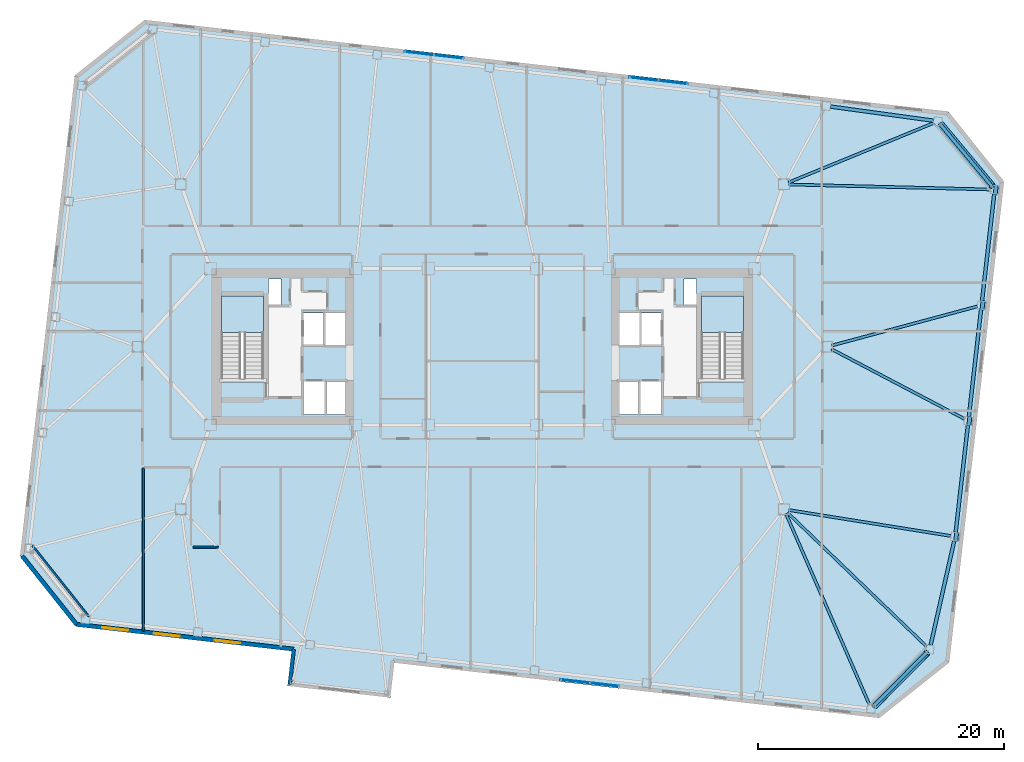
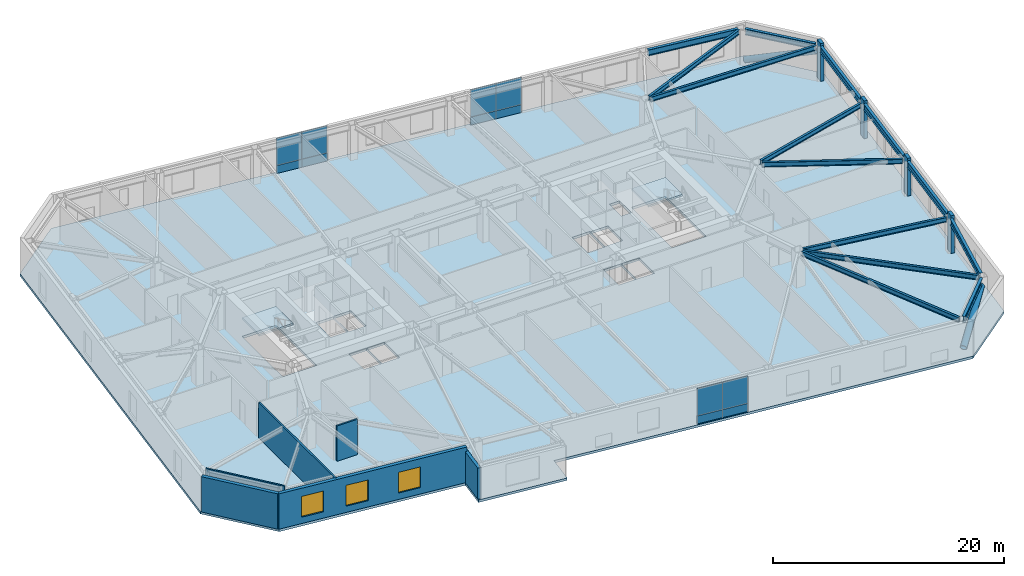
# One storey, part 9 of 19: 14 beams, 12 plates, 6 members, 6 walls, 3 slabs, 3 windows, 3 openings, 5 elements without a shape of their own.
"""IFC4 building model written with IfcOpenShell, lengths in metres."""

from ifc_helpers import new_model, si_unit, direction, frame, frame_2d, origin, origin_2d, place, context, subcontext, project, spatial, polyline, rectangle, hollow_circle, i_section, outline, extrude, material, layer, layer_set, material_profile, profile_set, type_object, element, fill, aggregate, save


model = new_model("IFC4")

# Units and contexts
model_context = context("Model", 3, precision=1e-05, world=origin(), true_north=direction((0.0, 1.0)))
body_context = subcontext(model_context, "Body", "Model", "MODEL_VIEW")
ifc_project = project(units=[si_unit("LENGTHUNIT", "METRE"), si_unit("AREAUNIT", "SQUARE_METRE"), si_unit("VOLUMEUNIT", "CUBIC_METRE"), si_unit("PLANEANGLEUNIT", "RADIAN"), si_unit("MASSUNIT", "GRAM", prefix="KILO")], contexts=[model_context])

# Site, building, storey
site_placement = place(None, origin())
site = spatial("IfcSite", under=ifc_project, at=site_placement, CompositionType="ELEMENT")
building_placement = place(site_placement, origin())
building = spatial("IfcBuilding", under=site, at=building_placement, Name="Tavrogorsk Clinical Tower", CompositionType="ELEMENT")
storey_placement = place(building_placement, frame((0.0, 0.0, 101.39990234375)))
storey = spatial("IfcBuildingStorey", under=building, at=storey_placement, Name="L22", CompositionType="ELEMENT", Elevation=101.39990234375)

# Members
ifc_material_1 = material(Name="Structural steel S440", Category="steel")
ifc_material_profile_1 = material_profile(ifc_material_1, hollow_circle(Radius=0.304931640625, WallThickness=0.02490234375, at=origin_2d()), Name="CHS-610x25")
ifc_profile_set_1 = profile_set([ifc_material_profile_1], Name="Structural steel S440")
member_type_1 = type_object("IfcMemberType", Name="ExoBrace_CHS610", PredefinedType="BRACE", material=ifc_profile_set_1)
member_1_placement = place(storey_placement, frame((31.81640625, -29.1650390625, 0.4345703125), z_axis=(0.651430241483, 0.659222469252, 0.375585378463), x_axis=(-0.711298174517, 0.702890394677, 0.0)))
element("IfcMember", 1, at=member_1_placement, inside=storey, type_object=member_type_1, Name="L22 Corner Exoskeleton Brace S8-E1", PredefinedType="BRACE", context=body_context, shape_type="SweptSolid", body=[
    extrude(hollow_circle(Radius=0.304931640625, WallThickness=0.02490234375, at=origin_2d()), origin(), (0.0, 0.0, 1.0), 6.57958984375),
])
member_2_placement = place(storey_placement, frame((37.2109375, 18.06640625, 0.427001953125), z_axis=(0.598616328588, -0.718269947263, 0.354607915882), x_axis=(0.768190751014, 0.640221032189, 0.0)))
element("IfcMember", 2, at=member_2_placement, inside=storey, type_object=member_type_1, Name="L22 Corner Exoskeleton Brace E5-N1", PredefinedType="BRACE", context=body_context, shape_type="SweptSolid", body=[
    extrude(hollow_circle(Radius=0.304931640625, WallThickness=0.02490234375, at=origin_2d()), origin(), (0.0, 0.0, 1.0), 7.0107421875),
])

# Beams
ifc_material_2 = material(Name="Structural steel S355", Category="steel")
ifc_material_profile_2 = material_profile(ifc_material_2, i_section(OverallWidth=0.219970703125, OverallDepth=0.5, WebThickness=0.012939453125, FlangeThickness=0.02001953125, at=origin_2d()), Name="B-500x220x13x20")
ifc_profile_set_2 = profile_set([ifc_material_profile_2], Name="Structural steel S355")
beam_type_1 = type_object("IfcBeamType", Name="FloorBeam_B500", PredefinedType="BEAM", material=ifc_profile_set_2)
beam_1_placement = place(storey_placement, frame((24.664306640625, -13.57568359375, 3.489990234375), z_axis=(0.400586354613, -0.916259009504, 0.0), x_axis=(0.916259009504, 0.400586354613, 0.0)))
element("IfcBeam", 3, at=beam_1_placement, inside=storey, type_object=beam_type_1, Name="L22 Radial Floor Beam S8", PredefinedType="BEAM", context=body_context, shape_type="SweptSolid", body=[
    extrude(i_section(OverallWidth=0.219970703125, OverallDepth=0.5, WebThickness=0.012939453125, FlangeThickness=0.02001953125, at=origin_2d()), origin(), (0.0, 0.0, 1.0), 16.91357421875),
])
beam_2_placement = place(storey_placement, frame((24.87939453125, 13.35546875, 3.489990234375), z_axis=(0.925250223374, 0.379357383143, 0.0), x_axis=(-0.379357383143, 0.925250223374, 0.0)))
element("IfcBeam", 4, at=beam_2_placement, inside=storey, type_object=beam_type_1, Name="L22 Radial Floor Beam N1", PredefinedType="BEAM", context=body_context, shape_type="SweptSolid", body=[
    extrude(i_section(OverallWidth=0.219970703125, OverallDepth=0.5, WebThickness=0.012939453125, FlangeThickness=0.02001953125, at=origin_2d()), origin(), (0.0, 0.0, 1.0), 12.738037109375),
])
beam_3_placement = place(storey_placement, frame((24.79541015625, -13.484375, 3.489990234375), z_axis=(0.720494740362, -0.693460401977, 0.0), x_axis=(0.693460401977, 0.720494740362, 0.0)))
element("IfcBeam", 5, at=beam_3_placement, inside=storey, type_object=beam_type_1, Name="L22 Radial Floor Beam E1", PredefinedType="BEAM", context=body_context, shape_type="SweptSolid", body=[
    extrude(i_section(OverallWidth=0.219970703125, OverallDepth=0.5, WebThickness=0.012939453125, FlangeThickness=0.02001953125, at=origin_2d()), origin(), (0.0, 0.0, 1.0), 15.659423828125),
])
beam_4_placement = place(storey_placement, frame((24.90478515625, -13.2646484375, 3.489990234375), z_axis=(0.987456527754, -0.157891120067, 0.0), x_axis=(0.157891120067, 0.987456527754, 0.0)))
element("IfcBeam", 6, at=beam_4_placement, inside=storey, type_object=beam_type_1, Name="L22 Radial Floor Beam E2", PredefinedType="BEAM", context=body_context, shape_type="SweptSolid", body=[
    extrude(i_section(OverallWidth=0.219970703125, OverallDepth=0.5, WebThickness=0.012939453125, FlangeThickness=0.02001953125, at=origin_2d()), origin(), (0.0, 0.0, 1.0), 13.31787109375),
])
beam_5_placement = place(storey_placement, frame((28.363037109375, -0.1904296875, 3.489990234375), z_axis=(0.885467298335, -0.464701693111, 0.0), x_axis=(0.464701693111, 0.885467298335, 0.0)))
element("IfcBeam", 7, at=beam_5_placement, inside=storey, type_object=beam_type_1, Name="L22 Radial Floor Beam E3", PredefinedType="BEAM", context=body_context, shape_type="SweptSolid", body=[
    extrude(i_section(OverallWidth=0.219970703125, OverallDepth=0.5, WebThickness=0.012939453125, FlangeThickness=0.02001953125, at=origin_2d()), origin(), (0.0, 0.0, 1.0), 12.197021484375),
])
beam_6_placement = place(storey_placement, frame((28.39599609375, 0.1064453125, 3.489990234375), z_axis=(0.965705720144, 0.259639099677, 0.0), x_axis=(-0.259639099677, 0.965705720144, 0.0)))
element("IfcBeam", 8, at=beam_6_placement, inside=storey, type_object=beam_type_1, Name="L22 Radial Floor Beam E4", PredefinedType="BEAM", context=body_context, shape_type="SweptSolid", body=[
    extrude(i_section(OverallWidth=0.219970703125, OverallDepth=0.5, WebThickness=0.012939453125, FlangeThickness=0.02001953125, at=origin_2d()), origin(), (0.0, 0.0, 1.0), 12.228759765625),
])
beam_7_placement = place(storey_placement, frame((24.909912109375, 13.189697265625, 3.489990234375), z_axis=(0.999690121031, -0.024893009314, 0.0), x_axis=(0.024893009314, 0.999690121031, 0.0)))
element("IfcBeam", 9, at=beam_7_placement, inside=storey, type_object=beam_type_1, Name="L22 Radial Floor Beam E5", PredefinedType="BEAM", context=body_context, shape_type="SweptSolid", body=[
    extrude(i_section(OverallWidth=0.219970703125, OverallDepth=0.5, WebThickness=0.012939453125, FlangeThickness=0.02001953125, at=origin_2d()), origin(), (0.0, 0.0, 1.0), 16.359130859375),
])

# Members
ifc_material_3 = material(Name="Precast concrete B45 with limestone cladding", Category="masonry")
ifc_material_profile_3 = material_profile(ifc_material_3, rectangle(XDim=0.320068359375, YDim=0.719970703125, at=origin_2d()), Name="LIMESTONE-FIN-320x720")
ifc_profile_set_3 = profile_set([ifc_material_profile_3], Name="Precast concrete B45 with limestone cladding")
member_type_2 = type_object("IfcMemberType", Name="LimestonePleatFin_320x720", PredefinedType="USERDEFINED", material=ifc_profile_set_3)
for number, where, z_axis, x_axis, name in (
    (10, (38.48876953125, -15.432861328125, 0.0), (0.0, 0.0, 1.0), (0.993571855677, -0.113203213768, 0.0), "L22 E Pleated Stone Fin 1"),
    (11, (39.5595703125, -6.03369140625, 0.0), (0.0, 0.0, 1.0), (0.993571855677, -0.113203213768, 0.0), "L22 E Pleated Stone Fin 2"),
    (12, (40.63037109375, 3.365234375, 0.0), (0.0, 0.0, 1.0), (0.993571855677, -0.113203213768, 0.0), "L22 E Pleated Stone Fin 3"),
    (13, (41.701416015625, 12.7646484375, 0.0), (0.0, 0.0, 1.0), (0.993571855677, -0.113203213768, 0.0), "L22 E Pleated Stone Fin 4"),
):
    element("IfcMember", number, at=place(storey_placement, frame(where, z_axis=z_axis, x_axis=x_axis)), inside=storey, type_object=member_type_2, Name=name, ObjectType="FIN", PredefinedType="USERDEFINED", context=body_context, shape_type="SweptSolid", body=[
        extrude(rectangle(XDim=0.320068359375, YDim=0.719970703125, at=origin_2d()), origin(), (0.0, 0.0, 1.0), 4.0),
    ])

# Beams
ifc_material_4 = material(Name="Structural steel S390", Category="steel")
ifc_material_profile_4 = material_profile(ifc_material_4, i_section(OverallWidth=0.280029296875, OverallDepth=0.64990234375, WebThickness=0.01611328125, FlangeThickness=0.02490234375, at=origin_2d()), Name="B-650x280x16x25")
ifc_profile_set_4 = profile_set([ifc_material_profile_4], Name="Structural steel S390")
beam_type_2 = type_object("IfcBeamType", Name="SpandrelBeam_B650", PredefinedType="SPANDREL", material=ifc_profile_set_4)
beam_8_placement = place(storey_placement, frame((31.834716796875, -29.146240234375, 3.4150390625), z_axis=(0.702934929184, 0.711254163667, 0.0), x_axis=(-0.711254163667, 0.702934929184, 0.0)))
element("IfcBeam", 14, at=beam_8_placement, inside=storey, type_object=beam_type_2, Name="L22 Perimeter Spandrel S8-E1", PredefinedType="SPANDREL", context=body_context, shape_type="SweptSolid", body=[
    extrude(i_section(OverallWidth=0.280029296875, OverallDepth=0.64990234375, WebThickness=0.01611328125, FlangeThickness=0.02490234375, at=origin_2d()), origin(), (0.0, 0.0, 1.0), 6.04541015625),
])
beam_9_placement = place(storey_placement, frame((36.414794921875, -24.242431640625, 3.4150390625), z_axis=(0.220602599501, 0.975363774749, 0.0), x_axis=(-0.975363774749, 0.220602599501, 0.0)))
element("IfcBeam", 15, at=beam_9_placement, inside=storey, type_object=beam_type_2, Name="L22 Perimeter Spandrel E1-E2", PredefinedType="SPANDREL", context=body_context, shape_type="SweptSolid", body=[
    extrude(i_section(OverallWidth=0.280029296875, OverallDepth=0.64990234375, WebThickness=0.01611328125, FlangeThickness=0.02490234375, at=origin_2d()), origin(), (0.0, 0.0, 1.0), 8.68310546875),
])
for number, where, z_axis, x_axis, name in (
    (16, (38.44970703125, -15.068115234375, 3.4150390625), (0.113192226434, 0.993573107464, 0.0), (-0.993573107464, 0.113192226434, 0.0), "L22 Perimeter Spandrel E2-E3"),
    (17, (39.520751953125, -5.6689453125, 3.4150390625), (0.113192226434, 0.993573107464, 0.0), (-0.993573107464, 0.113192226434, 0.0), "L22 Perimeter Spandrel E3-E4"),
):
    element("IfcBeam", number, at=place(storey_placement, frame(where, z_axis=z_axis, x_axis=x_axis)), inside=storey, type_object=beam_type_2, Name=name, PredefinedType="SPANDREL", context=body_context, shape_type="SweptSolid", body=[
        extrude(i_section(OverallWidth=0.280029296875, OverallDepth=0.64990234375, WebThickness=0.01611328125, FlangeThickness=0.02490234375, at=origin_2d()), origin(), (0.0, 0.0, 1.0), 8.743896484375),
    ])
beam_10_placement = place(storey_placement, frame((40.591552734375, 3.72998046875, 3.4150390625), z_axis=(0.113189086379, 0.993573465188, 0.0), x_axis=(-0.993573465188, 0.113189086379, 0.0)))
element("IfcBeam", 18, at=beam_10_placement, inside=storey, type_object=beam_type_2, Name="L22 Perimeter Spandrel E4-E5", PredefinedType="SPANDREL", context=body_context, shape_type="SweptSolid", body=[
    extrude(i_section(OverallWidth=0.280029296875, OverallDepth=0.64990234375, WebThickness=0.01611328125, FlangeThickness=0.02490234375, at=origin_2d()), origin(), (0.0, 0.0, 1.0), 8.744140625),
])
beam_11_placement = place(storey_placement, frame((41.392578125, 13.048583984375, 3.4150390625), z_axis=(-0.640191778751, 0.768215130299, 0.0), x_axis=(-0.768215130299, -0.640191778751, 0.0)))
element("IfcBeam", 19, at=beam_11_placement, inside=storey, type_object=beam_type_2, Name="L22 Perimeter Spandrel E5-N1", PredefinedType="SPANDREL", context=body_context, shape_type="SweptSolid", body=[
    extrude(i_section(OverallWidth=0.280029296875, OverallDepth=0.64990234375, WebThickness=0.01611328125, FlangeThickness=0.02490234375, at=origin_2d()), origin(), (0.0, 0.0, 1.0), 6.508544921875),
])
beam_12_placement = place(storey_placement, frame((36.641845703125, 18.3720703125, 3.4150390625), z_axis=(-0.990722121657, 0.135903192232, 0.0), x_axis=(-0.135903192232, -0.990722121657, 0.0)))
element("IfcBeam", 20, at=beam_12_placement, inside=storey, type_object=beam_type_2, Name="L22 Perimeter Spandrel N1-N2", PredefinedType="SPANDREL", context=body_context, shape_type="SweptSolid", body=[
    extrude(i_section(OverallWidth=0.280029296875, OverallDepth=0.64990234375, WebThickness=0.01611328125, FlangeThickness=0.02490234375, at=origin_2d()), origin(), (0.0, 0.0, 1.0), 8.439697265625),
])

# Curtain wall, plates
ifc_material_5 = material(Name="Anodised aluminium and triple IGU glazing", Category="aluminium")
ifc_layer_1 = layer(ifc_material_5, 0.179931640625)
ifc_layer_set_1 = layer_set([ifc_layer_1], Name="Anodised aluminium and triple IGU glazing")
curtain_wall_type_1 = type_object("IfcCurtainWallType", Name="CW3_SouthSlot", PredefinedType="NOTDEFINED", material=ifc_layer_set_1)
curtain_wall_1_placement = place(storey_placement, origin())
curtain_wall_1 = element("IfcCurtainWall", 21, at=curtain_wall_1_placement, inside=storey, type_object=curtain_wall_type_1, Name="L22 Curtain Wall CW-L22-S-SLOT-2", PredefinedType="NOTDEFINED")
ifc_material_6 = material(Name="Honed Podolsk limestone spandrel panel", Category="masonry")
ifc_layer_2 = layer(ifc_material_6, 0.080078125)
ifc_layer_set_2 = layer_set([ifc_layer_2], Name="Honed Podolsk limestone spandrel panel")
plate_type_1 = type_object("IfcPlateType", Name="CwSpandrelStonePanel_80", PredefinedType="CURTAIN_PANEL", material=ifc_layer_set_2)
plate_1_placement = place(storey_placement, frame((7.52978515625, -27.173828125, 0.002197265625), z_axis=(0.0, 0.0, 1.0), x_axis=(0.993571858269, -0.113203191016, 0.0)))
plate_1 = element("IfcPlate", 22, at=plate_1_placement, type_object=plate_type_1, Name="CW-L22-S-SLOT-2 Stone Spandrel Panel 1", PredefinedType="CURTAIN_PANEL", context=body_context, shape_type="SweptSolid", body=[
    extrude(rectangle(XDim=2.39208984375, YDim=0.080078125, at=origin_2d()), origin(), (0.0, 0.0, 1.0), 0.8359375),
])
plate_2_placement = place(storey_placement, frame((9.93017578125, -27.447265625, 0.002197265625), z_axis=(0.0, 0.0, 1.0), x_axis=(0.993571858269, -0.113203191016, 0.0)))
plate_2 = element("IfcPlate", 23, at=plate_2_placement, type_object=plate_type_1, Name="CW-L22-S-SLOT-2 Stone Spandrel Panel 2", PredefinedType="CURTAIN_PANEL", context=body_context, shape_type="SweptSolid", body=[
    extrude(rectangle(XDim=2.39208984375, YDim=0.080078125, at=origin_2d()), origin(), (0.0, 0.0, 1.0), 0.8359375),
])

ifc_material_7 = material(Name="Anodised aluminium and triple IGU glazing", Category="aluminium")
ifc_layer_3 = layer(ifc_material_7, 0.179931640625)
ifc_layer_set_3 = layer_set([ifc_layer_3], Name="Anodised aluminium and triple IGU glazing")
curtain_wall_type_2 = type_object("IfcCurtainWallType", Name="CW2_NorthSlot", PredefinedType="NOTDEFINED", material=ifc_layer_set_3)
curtain_wall_2_placement = place(storey_placement, origin())
curtain_wall_2 = element("IfcCurtainWall", 24, at=curtain_wall_2_placement, inside=storey, type_object=curtain_wall_type_2, Name="L22 Curtain Wall CW-L22-N-SLOT-1", PredefinedType="NOTDEFINED")
plate_3_placement = place(storey_placement, frame((-2.729736328125, 23.57373046875, 0.002197265625), z_axis=(0.0, 0.0, 1.0), x_axis=(-0.993571858269, 0.113203191016, 0.0)))
plate_3 = element("IfcPlate", 25, at=plate_3_placement, type_object=plate_type_1, Name="CW-L22-N-SLOT-1 Stone Spandrel Panel 1", PredefinedType="CURTAIN_PANEL", context=body_context, shape_type="SweptSolid", body=[
    extrude(rectangle(XDim=2.39208984375, YDim=0.080078125, at=origin_2d()), origin(), (0.0, 0.0, 1.0), 0.8359375),
])
plate_4_placement = place(storey_placement, frame((-5.130126953125, 23.847412109375, 0.002197265625), z_axis=(0.0, 0.0, 1.0), x_axis=(-0.993571858269, 0.113203191016, 0.0)))
plate_4 = element("IfcPlate", 26, at=plate_4_placement, type_object=plate_type_1, Name="CW-L22-N-SLOT-1 Stone Spandrel Panel 2", PredefinedType="CURTAIN_PANEL", context=body_context, shape_type="SweptSolid", body=[
    extrude(rectangle(XDim=2.39208984375, YDim=0.080078125, at=origin_2d()), origin(), (0.0, 0.0, 1.0), 0.8359375),
])

curtain_wall_3_placement = place(storey_placement, origin())
curtain_wall_3 = element("IfcCurtainWall", 27, at=curtain_wall_3_placement, inside=storey, type_object=curtain_wall_type_2, Name="L22 Curtain Wall CW-L22-N-SLOT-2", PredefinedType="NOTDEFINED")
plate_5_placement = place(storey_placement, frame((15.506591796875, 21.49609375, 0.002197265625), z_axis=(0.0, 0.0, 1.0), x_axis=(-0.993571855603, 0.11320321441, 0.0)))
plate_5 = element("IfcPlate", 28, at=plate_5_placement, type_object=plate_type_1, Name="CW-L22-N-SLOT-2 Stone Spandrel Panel 1", PredefinedType="CURTAIN_PANEL", context=body_context, shape_type="SweptSolid", body=[
    extrude(rectangle(XDim=2.39208984375, YDim=0.080078125, at=origin_2d()), origin(), (0.0, 0.0, 1.0), 0.8359375),
])
plate_6_placement = place(storey_placement, frame((13.106201171875, 21.76953125, 0.002197265625), z_axis=(0.0, 0.0, 1.0), x_axis=(-0.993571855603, 0.11320321441, 0.0)))
plate_6 = element("IfcPlate", 29, at=plate_6_placement, type_object=plate_type_1, Name="CW-L22-N-SLOT-2 Stone Spandrel Panel 2", PredefinedType="CURTAIN_PANEL", context=body_context, shape_type="SweptSolid", body=[
    extrude(rectangle(XDim=2.39208984375, YDim=0.080078125, at=origin_2d()), origin(), (0.0, 0.0, 1.0), 0.8359375),
])

# Plate
ifc_material_8 = material(Name="Triple low-E argon insulated glass", Category="glass")
ifc_layer_4 = layer(ifc_material_8, 0.048095703125)
ifc_layer_set_4 = layer_set([ifc_layer_4], Name="Triple low-E argon insulated glass")
plate_type_2 = type_object("IfcPlateType", Name="CwVisionGlassPanel_48", PredefinedType="CURTAIN_PANEL", material=ifc_layer_set_4)
plate_7_placement = place(storey_placement, frame((7.52978515625, -27.173828125, 0.862060546875), z_axis=(0.0, 0.0, 1.0), x_axis=(0.993571858269, -0.113203191016, 0.0)))
plate_7 = element("IfcPlate", 30, at=plate_7_placement, type_object=plate_type_2, Name="CW-L22-S-SLOT-2 Glazing Panel 1", PredefinedType="CURTAIN_PANEL", context=body_context, shape_type="SweptSolid", body=[
    extrude(rectangle(XDim=2.39208984375, YDim=0.048095703125, at=origin_2d()), origin(), (0.0, 0.0, 1.0), 2.8759765625),
])

plate_8_placement = place(storey_placement, frame((9.93017578125, -27.447265625, 0.862060546875), z_axis=(0.0, 0.0, 1.0), x_axis=(0.993571858269, -0.113203191016, 0.0)))
plate_8 = element("IfcPlate", 31, at=plate_8_placement, type_object=plate_type_2, Name="CW-L22-S-SLOT-2 Glazing Panel 2", PredefinedType="CURTAIN_PANEL", context=body_context, shape_type="SweptSolid", body=[
    extrude(rectangle(XDim=2.39208984375, YDim=0.048095703125, at=origin_2d()), origin(), (0.0, 0.0, 1.0), 2.8759765625),
])

aggregate(curtain_wall_1, [plate_1, plate_7, plate_2, plate_8])

plate_9_placement = place(storey_placement, frame((-2.729736328125, 23.57373046875, 0.862060546875), z_axis=(0.0, 0.0, 1.0), x_axis=(-0.993571858269, 0.113203191016, 0.0)))
plate_9 = element("IfcPlate", 32, at=plate_9_placement, type_object=plate_type_2, Name="CW-L22-N-SLOT-1 Glazing Panel 1", PredefinedType="CURTAIN_PANEL", context=body_context, shape_type="SweptSolid", body=[
    extrude(rectangle(XDim=2.39208984375, YDim=0.048095703125, at=origin_2d()), origin(), (0.0, 0.0, 1.0), 2.8759765625),
])

plate_10_placement = place(storey_placement, frame((-5.130126953125, 23.847412109375, 0.862060546875), z_axis=(0.0, 0.0, 1.0), x_axis=(-0.993571858269, 0.113203191016, 0.0)))
plate_10 = element("IfcPlate", 33, at=plate_10_placement, type_object=plate_type_2, Name="CW-L22-N-SLOT-1 Glazing Panel 2", PredefinedType="CURTAIN_PANEL", context=body_context, shape_type="SweptSolid", body=[
    extrude(rectangle(XDim=2.39208984375, YDim=0.048095703125, at=origin_2d()), origin(), (0.0, 0.0, 1.0), 2.8759765625),
])

aggregate(curtain_wall_2, [plate_3, plate_9, plate_4, plate_10])

plate_11_placement = place(storey_placement, frame((15.506591796875, 21.49609375, 0.862060546875), z_axis=(0.0, 0.0, 1.0), x_axis=(-0.993571855603, 0.11320321441, 0.0)))
plate_11 = element("IfcPlate", 34, at=plate_11_placement, type_object=plate_type_2, Name="CW-L22-N-SLOT-2 Glazing Panel 1", PredefinedType="CURTAIN_PANEL", context=body_context, shape_type="SweptSolid", body=[
    extrude(rectangle(XDim=2.39208984375, YDim=0.048095703125, at=origin_2d()), origin(), (0.0, 0.0, 1.0), 2.8759765625),
])

plate_12_placement = place(storey_placement, frame((13.106201171875, 21.76953125, 0.862060546875), z_axis=(0.0, 0.0, 1.0), x_axis=(-0.993571855603, 0.11320321441, 0.0)))
plate_12 = element("IfcPlate", 35, at=plate_12_placement, type_object=plate_type_2, Name="CW-L22-N-SLOT-2 Glazing Panel 2", PredefinedType="CURTAIN_PANEL", context=body_context, shape_type="SweptSolid", body=[
    extrude(rectangle(XDim=2.39208984375, YDim=0.048095703125, at=origin_2d()), origin(), (0.0, 0.0, 1.0), 2.8759765625),
])

aggregate(curtain_wall_3, [plate_5, plate_11, plate_6, plate_12])

# Stair, slab
ifc_material_9 = material(Name="Concrete B60", Category="concrete")
stair_type = type_object("IfcStairType", Name="CoreStairAssembly", PredefinedType="HALF_TURN_STAIR", material=ifc_material_9)
stair_1_placement = place(storey_placement, origin())
stair_1 = element("IfcStair", 36, at=stair_1_placement, inside=storey, type_object=stair_type, Name="L22 ST-W", PredefinedType="HALF_TURN_STAIR")
ifc_material_10 = material(Name="Concrete B60", Category="concrete")
ifc_layer_5 = layer(ifc_material_10, 0.199951171875)
ifc_layer_set_5 = layer_set([ifc_layer_5], Name="Concrete B60")
slab_type_1 = type_object("IfcSlabType", Name="StairLanding_200", PredefinedType="LANDING", material=ifc_layer_set_5)
slab_1_placement = place(storey_placement, frame((0.0, 0.0, 1.800048828125)))
slab_1 = element("IfcSlab", 37, at=slab_1_placement, type_object=slab_type_1, Name="ST-W landing 1", PredefinedType="LANDING", context=body_context, shape_type="SweptSolid", body=[
    extrude(outline(polyline([(-17.800048828125, 1.1650390625), (-17.800048828125, 4.125), (-21.199951171875, 4.125), (-21.199951171875, 1.1650390625), (-17.800048828125, 1.1650390625)])), origin(), (0.0, 0.0, 1.0), 0.199951171875),
])
aggregate(stair_1, [slab_1])

stair_2_placement = place(storey_placement, origin())
stair_2 = element("IfcStair", 38, at=stair_2_placement, inside=storey, type_object=stair_type, Name="L22 ST-E", PredefinedType="HALF_TURN_STAIR")
slab_2_placement = place(storey_placement, frame((0.0, 0.0, 1.800048828125)))
slab_2 = element("IfcSlab", 39, at=slab_2_placement, type_object=slab_type_1, Name="ST-E landing 1", PredefinedType="LANDING", context=body_context, shape_type="SweptSolid", body=[
    extrude(outline(polyline([(21.199951171875, 1.1650390625), (21.199951171875, 4.125), (17.800048828125, 4.125), (17.800048828125, 1.1650390625), (21.199951171875, 1.1650390625)])), origin(), (0.0, 0.0, 1.0), 0.199951171875),
])
aggregate(stair_2, [slab_2])

# Slab
ifc_material_11 = material(Name="Concrete B60", Category="concrete")
ifc_layer_6 = layer(ifc_material_11, 0.260009765625)
ifc_layer_set_6 = layer_set([ifc_layer_6], Name="Concrete B60")
slab_type_2 = type_object("IfcSlabType", Name="WardSlab_260", PredefinedType="FLOOR", material=ifc_layer_set_6)
slab_3_placement = place(storey_placement, frame((0.0, 0.0, -0.260009765625)))
element("IfcSlab", 40, at=slab_3_placement, inside=storey, type_object=slab_type_2, Name="L22 Structural Slab", PredefinedType="FLOOR", context=body_context, shape_type="SweptSolid", body=[
    extrude(outline(polyline([(-32.99658203125, -22.7275390625), (-37.574462890625, -16.972412109375), (-33.136962890625, 21.9755859375), (-27.381591796875, 26.5537109375), (37.796630859375, 19.12744140625), (42.37451171875, 13.372314453125), (37.93701171875, -25.57568359375), (32.181640625, -30.153564453125), (-7.163818359375, -25.6708984375), (-7.486328125, -28.50244140625), (-15.83251953125, -27.551513671875), (-15.509765625, -24.719970703125), (-32.99658203125, -22.7275390625)]), holes=[polyline([(-17.800048828125, -2.8798828125), (-17.800048828125, 4.125), (-21.199951171875, 4.125), (-21.199951171875, -2.8798828125), (-17.800048828125, -2.8798828125)]), polyline([(21.199951171875, -2.8798828125), (21.199951171875, 4.125), (17.800048828125, 4.125), (17.800048828125, -2.8798828125), (21.199951171875, -2.8798828125)]), polyline([(-14.6201171875, 0.169921875), (-12.860107421875, 0.169921875), (-12.860107421875, 2.72998046875), (-14.6201171875, 2.72998046875), (-14.6201171875, 0.169921875)]), polyline([(-14.530029296875, -5.47998046875), (-12.77001953125, -5.47998046875), (-12.77001953125, -2.820068359375), (-14.530029296875, -2.820068359375), (-14.530029296875, -5.47998046875)]), polyline([(-12.72998046875, -5.47998046875), (-10.969970703125, -5.47998046875), (-10.969970703125, -2.820068359375), (-12.72998046875, -2.820068359375), (-12.72998046875, -5.47998046875)]), polyline([(-12.840087890625, 0.1201171875), (-11.080078125, 0.1201171875), (-11.080078125, 2.780029296875), (-12.840087890625, 2.780029296875), (-12.840087890625, 0.1201171875)]), polyline([(12.860107421875, 0.169921875), (14.6201171875, 0.169921875), (14.6201171875, 2.72998046875), (12.860107421875, 2.72998046875), (12.860107421875, 0.169921875)]), polyline([(12.77001953125, -5.47998046875), (14.530029296875, -5.47998046875), (14.530029296875, -2.820068359375), (12.77001953125, -2.820068359375), (12.77001953125, -5.47998046875)]), polyline([(10.969970703125, -5.47998046875), (12.72998046875, -5.47998046875), (12.72998046875, -2.820068359375), (10.969970703125, -2.820068359375), (10.969970703125, -5.47998046875)]), polyline([(11.080078125, 0.1201171875), (12.840087890625, 0.1201171875), (12.840087890625, 2.780029296875), (11.080078125, 2.780029296875), (11.080078125, 0.1201171875)]), polyline([(-17.3798828125, 3.449951171875), (-16.3798828125, 3.449951171875), (-16.3798828125, 5.5), (-17.3798828125, 5.5), (-17.3798828125, 3.449951171875)]), polyline([(16.3798828125, 3.449951171875), (17.3798828125, 3.449951171875), (17.3798828125, 5.5), (16.3798828125, 5.5), (16.3798828125, 3.449951171875)])]), origin(), (0.0, 0.0, 1.0), 0.260009765625),
])

# Walls
ifc_material_12 = material(Name="Lightweight concrete blockwork B15", Category="masonry")
ifc_layer_7 = layer(ifc_material_12, 0.159912109375)
ifc_layer_set_7 = layer_set([ifc_layer_7], Name="Lightweight concrete blockwork B15")
wall_type_1 = type_object("IfcWallType", Name="PartitionWall_160", PredefinedType="PARTITIONING", material=ifc_layer_set_7)
wall_1_placement = place(storey_placement, frame((-36.555908203125, -16.161865234375, 0.0), z_axis=(0.0, 0.0, 1.0), x_axis=(0.622522641622, -0.782601789334, 0.0)))
element("IfcWall", 41, at=wall_1_placement, inside=storey, type_object=wall_type_1, Name="L22 Corner Exoskeleton Brace Furring Wall 4", PredefinedType="PARTITIONING", context=body_context, shape_type="SweptSolid", body=[
    extrude(rectangle(XDim=7.354248046875, YDim=0.159912109375, at=frame_2d((3.67724609375, 0.0))), origin(), (0.0, 0.0, 1.0), 3.739990234375),
])
wall_2_placement = place(storey_placement, frame((-21.485107421875, -16.280029296875, 0.0), z_axis=(0.0, 0.0, 1.0), x_axis=(-1.0, 0.0, 0.0)))
element("IfcWall", 42, at=wall_2_placement, inside=storey, type_object=wall_type_1, Name="L22 Corridor Partition 07", PredefinedType="PARTITIONING", context=body_context, shape_type="SweptSolid", body=[
    extrude(rectangle(XDim=2.02978515625, YDim=0.159912109375, at=frame_2d((1.014892578125, 0.0))), origin(), (0.0, 0.0, 1.0), 3.739990234375),
])
wall_3_placement = place(storey_placement, frame((-27.550048828125, -23.1064453125, 0.0), z_axis=(0.0, 0.0, 1.0), x_axis=(0.0, 1.0, 0.0)))
element("IfcWall", 43, at=wall_3_placement, inside=storey, type_object=wall_type_1, Name="L22 SW Wing Closure Partition", PredefinedType="PARTITIONING", context=body_context, shape_type="SweptSolid", body=[
    extrude(rectangle(XDim=13.241455078125, YDim=0.159912109375, at=frame_2d((6.62060546875, 0.0))), origin(), (0.0, 0.0, 1.0), 3.739990234375),
])

# Wall, openings, windows
ifc_material_13 = material(Name="Precast concrete B45 with limestone cladding", Category="masonry")
ifc_layer_8 = layer(ifc_material_13, 0.340087890625)
ifc_layer_set_8 = layer_set([ifc_layer_8], Name="Precast concrete B45 with limestone cladding")
wall_type_2 = type_object("IfcWallType", Name="PrecastLimestoneWall_340", PredefinedType="STANDARD", material=ifc_layer_set_8)
wall_4_placement = place(storey_placement, frame((-32.977294921875, -22.55859375, 0.0), z_axis=(0.0, 0.0, 1.0), x_axis=(0.993570699365, -0.113213362125, 0.0)))
wall_4 = element("IfcWall", 44, at=wall_4_placement, inside=storey, type_object=wall_type_2, Name="L22 S Limestone Facade Wall 1", PredefinedType="STANDARD", context=body_context, shape_type="SweptSolid", body=[
    extrude(rectangle(XDim=17.749755859375, YDim=0.340087890625, at=frame_2d((8.875, 0.0))), origin(), (0.0, 0.0, 1.0), 3.739990234375),
])
opening_1_placement = place(wall_4_placement, frame((2.10791015625, 0.0, 0.669921875)))
opening_1 = element("IfcOpeningElement", 45, at=opening_1_placement, cuts=wall_4, Name="Opening WN-03", PredefinedType="OPENING", context=body_context, shape_type="SweptSolid", body=[
    extrude(rectangle(XDim=2.10009765625, YDim=2.199951171875, at=frame_2d((1.050048828125, 1.10009765625))), frame((0.0, 0.179931640625, 0.0), z_axis=(0.0, -1.0, 0.0), x_axis=(1.0, 0.0, 0.0)), (0.0, 0.0, 1.0), 0.360107421875),
])
opening_2_placement = place(wall_4_placement, frame((6.329345703125, 0.0, 0.669921875)))
opening_2 = element("IfcOpeningElement", 46, at=opening_2_placement, cuts=wall_4, Name="Opening WN-03", PredefinedType="OPENING", context=body_context, shape_type="SweptSolid", body=[
    extrude(rectangle(XDim=2.10009765625, YDim=2.199951171875, at=frame_2d((1.050048828125, 1.10009765625))), frame((0.0, 0.179931640625, 0.0), z_axis=(0.0, -1.0, 0.0), x_axis=(1.0, 0.0, 0.0)), (0.0, 0.0, 1.0), 0.360107421875),
])
opening_3_placement = place(wall_4_placement, frame((11.284912109375, 0.0, 0.669921875)))
opening_3 = element("IfcOpeningElement", 47, at=opening_3_placement, cuts=wall_4, Name="Opening WN-03", PredefinedType="OPENING", context=body_context, shape_type="SweptSolid", body=[
    extrude(rectangle(XDim=2.10009765625, YDim=2.199951171875, at=frame_2d((1.050048828125, 1.10009765625))), frame((0.0, 0.179931640625, 0.0), z_axis=(0.0, -1.0, 0.0), x_axis=(1.0, 0.0, 0.0)), (0.0, 0.0, 1.0), 0.360107421875),
])
ifc_material_14 = material(Name="Thermally broken aluminium frame and triple IGU", Category="aluminium")
window_type = type_object("IfcWindowType", Name="PatientTwinWin_2100x2200", PartitioningType="DOUBLE_PANEL_VERTICAL", PredefinedType="WINDOW", material=ifc_material_14)
window_1_placement = place(opening_1_placement, origin())
window_1 = element("IfcWindow", 48, at=window_1_placement, inside=storey, type_object=window_type, Name="L22 S Chicago Window 01", OverallHeight=2.199951171875, OverallWidth=2.10009765625, PartitioningType="SINGLE_PANEL", PredefinedType="WINDOW", context=body_context, shape_type="SweptSolid", body=[
    extrude(rectangle(XDim=2.10009765625, YDim=2.199951171875, at=frame_2d((1.050048828125, 1.10009765625))), frame((0.0, 0.030029296875, 0.0), z_axis=(0.0, -1.0, 0.0), x_axis=(1.0, 0.0, 0.0)), (0.0, 0.0, 1.0), 0.06005859375),
])
fill(opening_1, window_1)
window_2_placement = place(opening_2_placement, origin())
window_2 = element("IfcWindow", 49, at=window_2_placement, inside=storey, type_object=window_type, Name="L22 S Chicago Window 02", OverallHeight=2.199951171875, OverallWidth=2.10009765625, PartitioningType="SINGLE_PANEL", PredefinedType="WINDOW", context=body_context, shape_type="SweptSolid", body=[
    extrude(rectangle(XDim=2.10009765625, YDim=2.199951171875, at=frame_2d((1.050048828125, 1.10009765625))), frame((0.0, 0.030029296875, 0.0), z_axis=(0.0, -1.0, 0.0), x_axis=(1.0, 0.0, 0.0)), (0.0, 0.0, 1.0), 0.06005859375),
])
fill(opening_2, window_2)
window_3_placement = place(opening_3_placement, origin())
window_3 = element("IfcWindow", 50, at=window_3_placement, inside=storey, type_object=window_type, Name="L22 S Chicago Window 03", OverallHeight=2.199951171875, OverallWidth=2.10009765625, PartitioningType="SINGLE_PANEL", PredefinedType="WINDOW", context=body_context, shape_type="SweptSolid", body=[
    extrude(rectangle(XDim=2.10009765625, YDim=2.199951171875, at=frame_2d((1.050048828125, 1.10009765625))), frame((0.0, 0.030029296875, 0.0), z_axis=(0.0, -1.0, 0.0), x_axis=(1.0, 0.0, 0.0)), (0.0, 0.0, 1.0), 0.06005859375),
])
fill(opening_3, window_3)

# Walls
wall_5_placement = place(storey_placement, frame((-37.405517578125, -16.991455078125, 0.0), z_axis=(0.0, 0.0, 1.0), x_axis=(0.622507800567, -0.78261359446, 0.0)))
element("IfcWall", 51, at=wall_5_placement, inside=storey, type_object=wall_type_2, Name="L22 Chamfered Corner Wall 4", PredefinedType="STANDARD", context=body_context, shape_type="SweptSolid", body=[
    extrude(rectangle(XDim=7.113525390625, YDim=0.340087890625, at=frame_2d((3.556640625, 0.0))), origin(), (0.0, 0.0, 1.0), 3.739990234375),
])
ifc_material_15 = material(Name="Precast concrete B45 with mineral wool", Category="concrete")
ifc_layer_9 = layer(ifc_material_15, 0.300048828125)
ifc_layer_set_9 = layer_set([ifc_layer_9], Name="Precast concrete B45 with mineral wool")
wall_type_3 = type_object("IfcWallType", Name="SpandrelBackWall_300", PredefinedType="STANDARD", material=ifc_layer_set_9)
wall_6_placement = place(storey_placement, frame((-15.341552734375, -24.56787109375, 0.0), z_axis=(0.0, 0.0, 1.0), x_axis=(-0.113138727493, -0.99357920084, 0.0)))
element("IfcWall", 52, at=wall_6_placement, inside=storey, type_object=wall_type_3, Name="L22 Day-Room Cheek Wall DRB-03-L", PredefinedType="STANDARD", context=body_context, shape_type="SweptSolid", body=[
    extrude(rectangle(XDim=2.869873046875, YDim=0.300048828125, at=frame_2d((1.43505859375, 0.0))), origin(), (0.0, 0.0, 1.0), 3.28515625),
])

save(model, "model.ifc")
